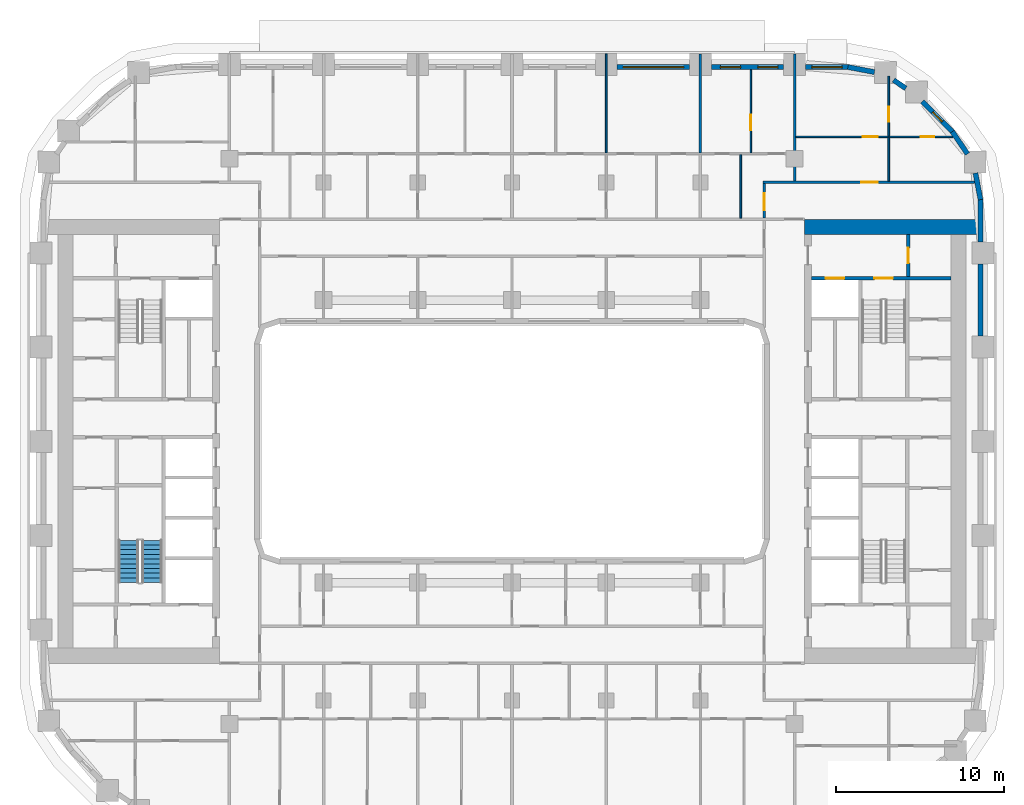
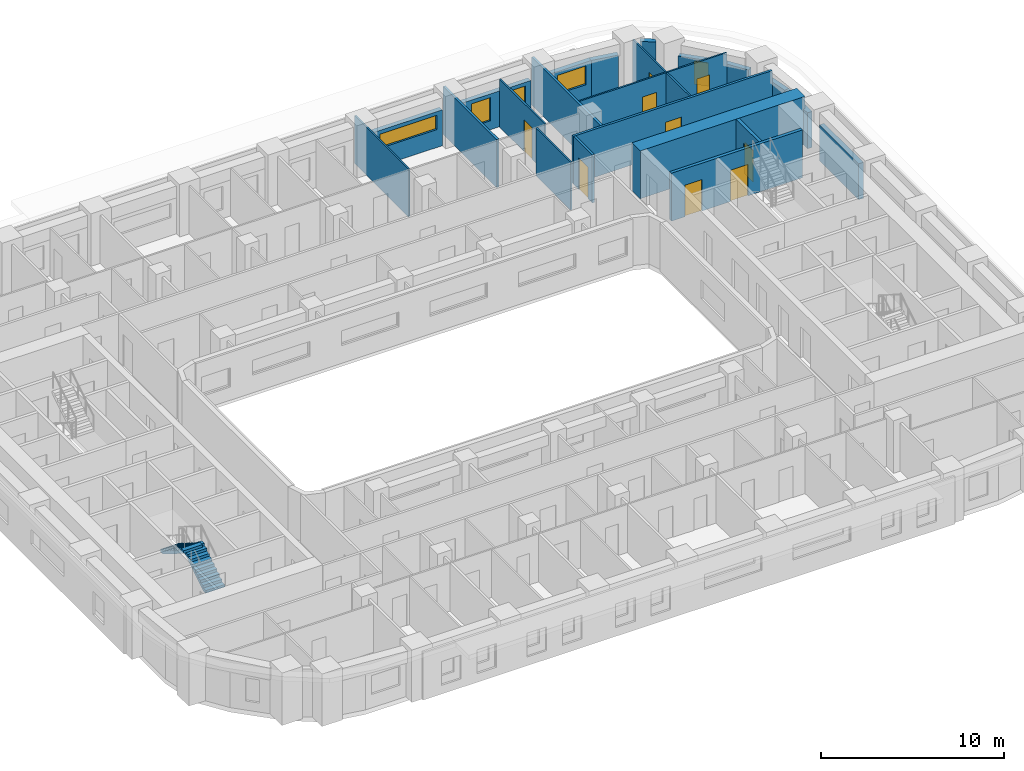
# One storey, part 10 of 22: 23 walls, 9 doors, 5 windows, 2 stair flights, 14 openings, 1 element without a shape of its own.
"""IFC4 building model written with IfcOpenShell, lengths in metres."""

from ifc_helpers import new_model, si_unit, direction, frame, frame_2d, origin, place, context, subcontext, project, spatial, polyline, rectangle, outline, extrude, material, layer, layer_set, type_object, element, fill, aggregate, save


model = new_model("IFC4")

# Units and contexts
model_context = context("Model", 3, precision=1e-05, world=origin(), true_north=direction((0.0, 1.0)))
body_context = subcontext(model_context, "Body", "Model", "MODEL_VIEW")
ifc_project = project(units=[si_unit("LENGTHUNIT", "METRE"), si_unit("AREAUNIT", "SQUARE_METRE"), si_unit("VOLUMEUNIT", "CUBIC_METRE"), si_unit("PLANEANGLEUNIT", "RADIAN"), si_unit("MASSUNIT", "GRAM", prefix="KILO")], contexts=[model_context])

# Site, building, storey
site_placement = place(None, origin())
site = spatial("IfcSite", under=ifc_project, at=site_placement, CompositionType="ELEMENT")
building_placement = place(site_placement, origin())
building = spatial("IfcBuilding", under=site, at=building_placement, Name="Kiln Ring Residences", CompositionType="ELEMENT")
storey_placement = place(building_placement, frame((0.0, 0.0, 90.300048828125)))
storey = spatial("IfcBuildingStorey", under=building, at=storey_placement, Name="L22", CompositionType="ELEMENT", Elevation=90.300048828125)

# Wall, opening, door
ifc_material_1 = material(Name="Gypsum board on steel studs", Category="steel")
ifc_layer_1 = layer(ifc_material_1, 0.199951171875)
ifc_layer_set_1 = layer_set([ifc_layer_1], Name="CORE-PARTITION-200")
wall_type_1 = type_object("IfcWallType", Name="CORE-PARTITION-200", PredefinedType="PARTITIONING", material=ifc_layer_set_1)
wall_1_placement = place(storey_placement, frame((23.550048828125, 9.800048828125, 0.0), z_axis=(0.0, 0.0, 1.0), x_axis=(0.0, 1.0, 0.0)))
wall_1 = element("IfcWall", 1, at=wall_1_placement, inside=storey, type_object=wall_type_1, Name="Core partition east L22 4", PredefinedType="PARTITIONING", context=body_context, shape_type="SweptSolid", body=[
    extrude(rectangle(XDim=2.5, YDim=0.199951171875, at=frame_2d((1.25, 0.0))), origin(), (0.0, 0.0, 1.0), 3.199951171875),
])
opening_1_placement = place(wall_1_placement, frame((0.800048828125, 0.0, 0.0)))
opening_1 = element("IfcOpeningElement", 2, at=opening_1_placement, cuts=wall_1, Name="Opening L22-CE10", PredefinedType="OPENING", context=body_context, shape_type="SweptSolid", body=[
    extrude(rectangle(XDim=0.89990234375, YDim=2.10009765625, at=frame_2d((0.449951171875, 1.050048828125))), frame((0.0, 0.10986328125, 0.0), z_axis=(0.0, -1.0, 0.0), x_axis=(1.0, 0.0, 0.0)), (0.0, 0.0, 1.0), 0.219970703125),
])
ifc_material_2 = material(Name="Steel door leaf", Category="steel")
door_type_1 = type_object("IfcDoorType", Name="CORE-DOOR-ROOM", OperationType="SINGLE_SWING_LEFT", PredefinedType="DOOR", material=ifc_material_2)
door_1_placement = place(opening_1_placement, origin())
door_1 = element("IfcDoor", 3, at=door_1_placement, inside=storey, type_object=door_type_1, Name="Fire riser room L22-CE10", OperationType="SINGLE_SWING_LEFT", OverallHeight=2.10009765625, OverallWidth=0.89990234375, PredefinedType="DOOR", context=body_context, shape_type="SweptSolid", body=[
    extrude(rectangle(XDim=0.89990234375, YDim=2.10009765625, at=frame_2d((0.449951171875, 1.050048828125))), frame((0.0, 0.02490234375, 0.0), z_axis=(0.0, -1.0, 0.0), x_axis=(1.0, 0.0, 0.0)), (0.0, 0.0, 1.0), 0.050048828125),
])
fill(opening_1, door_1)

# Wall, openings, doors
ifc_material_3 = material(Name="Concrete C40/50", Category="concrete")
ifc_layer_2 = layer(ifc_material_3, 0.199951171875)
ifc_layer_set_2 = layer_set([ifc_layer_2], Name="CORE-WALL-RC200")
wall_type_2 = type_object("IfcWallType", Name="CORE-WALL-RC200", PredefinedType="SHEAR", material=ifc_layer_set_2)
wall_2_placement = place(storey_placement, frame((17.800048828125, 9.699951171875, 0.0), z_axis=(0.0, 0.0, 1.0), x_axis=(1.0, 0.0, 0.0)))
wall_2 = element("IfcWall", 4, at=wall_2_placement, inside=storey, type_object=wall_type_2, Name="Core wall east L22 9", PredefinedType="SHEAR", context=body_context, shape_type="SweptSolid", body=[
    extrude(rectangle(XDim=8.300048828125, YDim=0.199951171875, at=frame_2d((4.14990234375, 0.0))), origin(), (0.0, 0.0, 1.0), 3.199951171875),
])
opening_2_placement = place(wall_2_placement, frame((0.85009765625, 0.0, 0.0)))
opening_2 = element("IfcOpeningElement", 5, at=opening_2_placement, cuts=wall_2, Name="Opening L22-CE07", PredefinedType="OPENING", context=body_context, shape_type="SweptSolid", body=[
    extrude(rectangle(XDim=1.10009765625, YDim=2.10009765625, at=frame_2d((0.550048828125, 1.050048828125))), frame((0.0, 0.10986328125, 0.0), z_axis=(0.0, -1.0, 0.0), x_axis=(1.0, 0.0, 0.0)), (0.0, 0.0, 1.0), 0.219970703125),
])
opening_3_placement = place(wall_2_placement, frame((3.75, 0.0, 0.0)))
opening_3 = element("IfcOpeningElement", 6, at=opening_3_placement, cuts=wall_2, Name="Opening L22-CE12", PredefinedType="OPENING", context=body_context, shape_type="SweptSolid", body=[
    extrude(rectangle(XDim=1.10009765625, YDim=2.10009765625, at=frame_2d((0.550048828125, 1.050048828125))), frame((0.0, 0.10986328125, 0.0), z_axis=(0.0, -1.0, 0.0), x_axis=(1.0, 0.0, 0.0)), (0.0, 0.0, 1.0), 0.219970703125),
])
ifc_material_4 = material(Name="Steel door leaf", Category="steel")
door_type_2 = type_object("IfcDoorType", Name="CORE-DOOR-LD", OperationType="DOUBLE_DOOR_SLIDING", PredefinedType="DOOR", material=ifc_material_4)
door_2_placement = place(opening_2_placement, origin())
door_2 = element("IfcDoor", 7, at=door_2_placement, inside=storey, type_object=door_type_2, Name="LD E-FF L22-CE07", OperationType="DOUBLE_DOOR_SLIDING", OverallHeight=2.10009765625, OverallWidth=1.10009765625, PredefinedType="DOOR", context=body_context, shape_type="SweptSolid", body=[
    extrude(rectangle(XDim=1.10009765625, YDim=2.10009765625, at=frame_2d((0.550048828125, 1.050048828125))), frame((0.0, 0.02490234375, 0.0), z_axis=(0.0, -1.0, 0.0), x_axis=(1.0, 0.0, 0.0)), (0.0, 0.0, 1.0), 0.050048828125),
])
fill(opening_2, door_2)
ifc_material_5 = material(Name="Steel door leaf", Category="steel")
door_type_3 = type_object("IfcDoorType", Name="CORE-DOOR-STAIR", OperationType="SINGLE_SWING_LEFT", PredefinedType="DOOR", material=ifc_material_5)
door_3_placement = place(opening_3_placement, origin())
door_3 = element("IfcDoor", 8, at=door_3_placement, inside=storey, type_object=door_type_3, Name="Stair E-STN L22-CE12", OperationType="SINGLE_SWING_LEFT", OverallHeight=2.10009765625, OverallWidth=1.10009765625, PredefinedType="DOOR", context=body_context, shape_type="SweptSolid", body=[
    extrude(rectangle(XDim=1.10009765625, YDim=2.10009765625, at=frame_2d((0.550048828125, 1.050048828125))), frame((0.0, 0.02490234375, 0.0), z_axis=(0.0, -1.0, 0.0), x_axis=(1.0, 0.0, 0.0)), (0.0, 0.0, 1.0), 0.050048828125),
])
fill(opening_3, door_3)

# Walls
ifc_material_6 = material(Name="Concrete C60/75", Category="concrete")
ifc_layer_3 = layer(ifc_material_6, 0.89990234375)
ifc_layer_set_3 = layer_set([ifc_layer_3], Name="CORE-WALL-RC900")
wall_type_3 = type_object("IfcWallType", Name="CORE-WALL-RC900", PredefinedType="SHEAR", material=ifc_layer_set_3)
wall_3_placement = place(storey_placement, frame((17.39990234375, 12.75, 0.0), z_axis=(0.0, 0.0, 1.0), x_axis=(1.0, 0.0, 0.0)))
element("IfcWall", 9, at=wall_3_placement, inside=storey, type_object=wall_type_3, Name="Core wall east L22 4", PredefinedType="SHEAR", context=body_context, shape_type="SweptSolid", body=[
    extrude(rectangle(XDim=10.400146484375, YDim=0.89990234375, at=frame_2d((5.2001953125, 0.0))), origin(), (0.0, 0.0, 1.0), 3.199951171875),
])
ifc_material_7 = material(Name="Brick masonry, dark clay brick", Category="masonry")
ifc_layer_4 = layer(ifc_material_7, 0.300048828125)
ifc_layer_set_4 = layer_set([ifc_layer_4], Name="EW-300 BRICK WALL")
wall_type_4 = type_object("IfcWallType", Name="EW-300 BRICK WALL", PredefinedType="SOLIDWALL", material=ifc_layer_set_4)
wall_4_placement = place(storey_placement, frame((27.85009765625, 6.25, 0.0), z_axis=(0.0, 0.0, 1.0), x_axis=(0.0, 1.0, 0.0)))
element("IfcWall", 10, at=wall_4_placement, inside=storey, type_object=wall_type_4, Name="Facade wall L22 21", PredefinedType="SOLIDWALL", context=body_context, shape_type="SweptSolid", body=[
    extrude(rectangle(XDim=4.300048828125, YDim=0.300048828125, at=frame_2d((2.14990234375, 0.0))), origin(), (0.0, 0.0, 1.0), 2.39990234375),
])
wall_5_placement = place(storey_placement, frame((27.85009765625, 11.85009765625, 0.0), z_axis=(0.0, 0.0, 1.0), x_axis=(0.0, 1.0, 0.0)))
element("IfcWall", 11, at=wall_5_placement, inside=storey, type_object=wall_type_4, Name="Facade wall L22 22", PredefinedType="SOLIDWALL", context=body_context, shape_type="SweptSolid", body=[
    extrude(rectangle(XDim=2.5498046875, YDim=0.300048828125, at=frame_2d((1.27490234375, 0.0))), origin(), (0.0, 0.0, 1.0), 2.39990234375),
])
for number, where, z_axis, x_axis, name in (
    (12, (27.8525390625, 14.371826171875, 0.0), (0.0, 0.0, 1.0), (-0.187279751651, 0.982306619453, 0.0), "Facade wall L22 23"),
    (13, (27.08154296875, 17.08447265625, 0.0), (0.0, 0.0, 1.0), (-0.562010605531, 0.827130025613, 0.0), "Facade wall L22 24"),
):
    element("IfcWall", number, at=place(storey_placement, frame(where, z_axis=z_axis, x_axis=x_axis)), inside=storey, type_object=wall_type_4, Name=name, PredefinedType="SOLIDWALL", context=body_context, shape_type="SweptSolid", body=[
        extrude(rectangle(XDim=1.60595703125, YDim=0.300048828125, at=frame_2d((0.802978515625, 0.0))), origin(), (0.0, 0.0, 1.0), 2.39990234375),
    ])

# Wall, opening, window
wall_6_placement = place(storey_placement, frame((26.19677734375, 18.390869140625, 0.0), z_axis=(0.0, 0.0, 1.0), x_axis=(-0.707058908279, 0.707154650853, 0.0)))
wall_6 = element("IfcWall", 14, at=wall_6_placement, inside=storey, type_object=wall_type_4, Name="Facade wall L22 25", PredefinedType="SOLIDWALL", context=body_context, shape_type="SweptSolid", body=[
    extrude(rectangle(XDim=2.550048828125, YDim=0.300048828125, at=frame_2d((1.27490234375, 0.0))), origin(), (0.0, 0.0, 1.0), 2.39990234375),
])
opening_4_placement = place(wall_6_placement, frame((0.875, 0.0, 0.60009765625)))
opening_4 = element("IfcOpeningElement", 15, at=opening_4_placement, cuts=wall_6, Name="Opening W5", PredefinedType="OPENING", context=body_context, shape_type="SweptSolid", body=[
    extrude(rectangle(XDim=0.800048828125, YDim=1.550048828125, at=frame_2d((0.39990234375, 0.77490234375))), frame((0.0, 0.159912109375, 0.0), z_axis=(0.0, -1.0, 0.0), x_axis=(1.0, 0.0, 0.0)), (0.0, 0.0, 1.0), 0.320068359375),
])
ifc_material_8 = material(Name="Aluminium frame with double glazing", Category="aluminium")
window_type_1 = type_object("IfcWindowType", Name="WINDOW 800 x 1550", PartitioningType="SINGLE_PANEL", PredefinedType="WINDOW", material=ifc_material_8)
window_1_placement = place(opening_4_placement, origin())
window_1 = element("IfcWindow", 16, at=window_1_placement, inside=storey, type_object=window_type_1, Name="Window L22 15", OverallHeight=1.550048828125, OverallWidth=0.800048828125, PartitioningType="SINGLE_PANEL", PredefinedType="WINDOW", context=body_context, shape_type="SweptSolid", body=[
    extrude(rectangle(XDim=0.800048828125, YDim=1.550048828125, at=frame_2d((0.39990234375, 0.77490234375))), frame((0.0, 0.030029296875, 0.0), z_axis=(0.0, -1.0, 0.0), x_axis=(1.0, 0.0, 0.0)), (0.0, 0.0, 1.0), 0.06005859375),
])
fill(opening_4, window_1)

# Walls
wall_7_placement = place(storey_placement, frame((23.409912109375, 20.988525390625, 0.0), z_axis=(0.0, 0.0, 1.0), x_axis=(-0.827050703543, 0.562127328787, 0.0)))
element("IfcWall", 17, at=wall_7_placement, inside=storey, type_object=wall_type_4, Name="Facade wall L22 26", PredefinedType="SOLIDWALL", context=body_context, shape_type="SweptSolid", body=[
    extrude(rectangle(XDim=0.877197265625, YDim=0.300048828125, at=frame_2d((0.4384765625, 0.0))), origin(), (0.0, 0.0, 1.0), 3.199951171875),
])
wall_8_placement = place(storey_placement, frame((21.549560546875, 21.95166015625, 0.0), z_axis=(0.0, 0.0, 1.0), x_axis=(-0.982278644094, 0.187426426519, 0.0)))
element("IfcWall", 18, at=wall_8_placement, inside=storey, type_object=wall_type_4, Name="Facade wall L22 27", PredefinedType="SOLIDWALL", context=body_context, shape_type="SweptSolid", body=[
    extrude(rectangle(XDim=1.606201171875, YDim=0.300048828125, at=frame_2d((0.80322265625, 0.0))), origin(), (0.0, 0.0, 1.0), 2.39990234375),
])

# Wall, opening, window
wall_9_placement = place(storey_placement, frame((20.0, 22.25, 0.0), z_axis=(0.0, 0.0, 1.0), x_axis=(-1.0, 0.0, 0.0)))
wall_9 = element("IfcWall", 19, at=wall_9_placement, inside=storey, type_object=wall_type_4, Name="Facade wall L22 28", PredefinedType="SOLIDWALL", context=body_context, shape_type="SweptSolid", body=[
    extrude(rectangle(XDim=2.550048828125, YDim=0.300048828125, at=frame_2d((1.27490234375, 0.0))), origin(), (0.0, 0.0, 1.0), 2.39990234375),
])
opening_5_placement = place(wall_9_placement, frame((0.375, 0.0, 0.89990234375)))
opening_5 = element("IfcOpeningElement", 20, at=opening_5_placement, cuts=wall_9, Name="Opening W2", PredefinedType="OPENING", context=body_context, shape_type="SweptSolid", body=[
    extrude(rectangle(XDim=1.800048828125, YDim=1.25, at=frame_2d((0.89990234375, 0.625))), frame((0.0, 0.159912109375, 0.0), z_axis=(0.0, -1.0, 0.0), x_axis=(1.0, 0.0, 0.0)), (0.0, 0.0, 1.0), 0.320068359375),
])
ifc_material_9 = material(Name="Aluminium frame with double glazing", Category="aluminium")
window_type_2 = type_object("IfcWindowType", Name="WINDOW 1800 x 1250", PartitioningType="SINGLE_PANEL", PredefinedType="WINDOW", material=ifc_material_9)
window_2_placement = place(opening_5_placement, origin())
window_2 = element("IfcWindow", 21, at=window_2_placement, inside=storey, type_object=window_type_2, Name="Window L22 16", OverallHeight=1.25, OverallWidth=1.800048828125, PartitioningType="SINGLE_PANEL", PredefinedType="WINDOW", context=body_context, shape_type="SweptSolid", body=[
    extrude(rectangle(XDim=1.800048828125, YDim=1.25, at=frame_2d((0.89990234375, 0.625))), frame((0.0, 0.030029296875, 0.0), z_axis=(0.0, -1.0, 0.0), x_axis=(1.0, 0.0, 0.0)), (0.0, 0.0, 1.0), 0.06005859375),
])
fill(opening_5, window_2)

# Wall, openings, windows
wall_10_placement = place(storey_placement, frame((16.14990234375, 22.25, 0.0), z_axis=(0.0, 0.0, 1.0), x_axis=(-1.0, 0.0, 0.0)))
wall_10 = element("IfcWall", 22, at=wall_10_placement, inside=storey, type_object=wall_type_4, Name="Facade wall L22 29", PredefinedType="SOLIDWALL", context=body_context, shape_type="SweptSolid", body=[
    extrude(rectangle(XDim=4.2998046875, YDim=0.300048828125, at=frame_2d((2.14990234375, 0.0))), origin(), (0.0, 0.0, 1.0), 2.39990234375),
])
opening_6_placement = place(wall_10_placement, frame((0.33740234375, 0.0, 0.60009765625)))
opening_6 = element("IfcOpeningElement", 23, at=opening_6_placement, cuts=wall_10, Name="Opening W1", PredefinedType="OPENING", context=body_context, shape_type="SweptSolid", body=[
    extrude(rectangle(XDim=1.199951171875, YDim=1.550048828125, at=frame_2d((0.60009765625, 0.77490234375))), frame((0.0, 0.159912109375, 0.0), z_axis=(0.0, -1.0, 0.0), x_axis=(1.0, 0.0, 0.0)), (0.0, 0.0, 1.0), 0.320068359375),
])
opening_7_placement = place(wall_10_placement, frame((2.5625, 0.0, 0.60009765625)))
opening_7 = element("IfcOpeningElement", 24, at=opening_7_placement, cuts=wall_10, Name="Opening W1", PredefinedType="OPENING", context=body_context, shape_type="SweptSolid", body=[
    extrude(rectangle(XDim=1.199951171875, YDim=1.550048828125, at=frame_2d((0.60009765625, 0.77490234375))), frame((0.0, 0.159912109375, 0.0), z_axis=(0.0, -1.0, 0.0), x_axis=(1.0, 0.0, 0.0)), (0.0, 0.0, 1.0), 0.320068359375),
])
ifc_material_10 = material(Name="Aluminium frame with double glazing", Category="aluminium")
window_type_3 = type_object("IfcWindowType", Name="WINDOW 1200 x 1550", PartitioningType="SINGLE_PANEL", PredefinedType="WINDOW", material=ifc_material_10)
window_3_placement = place(opening_6_placement, origin())
window_3 = element("IfcWindow", 25, at=window_3_placement, inside=storey, type_object=window_type_3, Name="Window L22 17", OverallHeight=1.550048828125, OverallWidth=1.199951171875, PartitioningType="SINGLE_PANEL", PredefinedType="WINDOW", context=body_context, shape_type="SweptSolid", body=[
    extrude(rectangle(XDim=1.199951171875, YDim=1.550048828125, at=frame_2d((0.60009765625, 0.77490234375))), frame((0.0, 0.030029296875, 0.0), z_axis=(0.0, -1.0, 0.0), x_axis=(1.0, 0.0, 0.0)), (0.0, 0.0, 1.0), 0.06005859375),
])
fill(opening_6, window_3)
window_4_placement = place(opening_7_placement, origin())
window_4 = element("IfcWindow", 26, at=window_4_placement, inside=storey, type_object=window_type_3, Name="Window L22 18", OverallHeight=1.550048828125, OverallWidth=1.199951171875, PartitioningType="SINGLE_PANEL", PredefinedType="WINDOW", context=body_context, shape_type="SweptSolid", body=[
    extrude(rectangle(XDim=1.199951171875, YDim=1.550048828125, at=frame_2d((0.60009765625, 0.77490234375))), frame((0.0, 0.030029296875, 0.0), z_axis=(0.0, -1.0, 0.0), x_axis=(1.0, 0.0, 0.0)), (0.0, 0.0, 1.0), 0.06005859375),
])
fill(opening_7, window_4)

# Wall, opening, window
wall_11_placement = place(storey_placement, frame((10.550048828125, 22.25, 0.0), z_axis=(0.0, 0.0, 1.0), x_axis=(-1.0, 0.0, 0.0)))
wall_11 = element("IfcWall", 27, at=wall_11_placement, inside=storey, type_object=wall_type_4, Name="Facade wall L22 30", PredefinedType="SOLIDWALL", context=body_context, shape_type="SweptSolid", body=[
    extrude(rectangle(XDim=4.300048828125, YDim=0.300048828125, at=frame_2d((2.14990234375, 0.0))), origin(), (0.0, 0.0, 1.0), 2.39990234375),
])
opening_8_placement = place(wall_11_placement, frame((0.35009765625, 0.0, 1.199951171875)))
opening_8 = element("IfcOpeningElement", 28, at=opening_8_placement, cuts=wall_11, Name="Opening W4", PredefinedType="OPENING", context=body_context, shape_type="SweptSolid", body=[
    extrude(rectangle(XDim=3.60009765625, YDim=0.949951171875, at=frame_2d((1.800048828125, 0.47509765625))), frame((0.0, 0.159912109375, 0.0), z_axis=(0.0, -1.0, 0.0), x_axis=(1.0, 0.0, 0.0)), (0.0, 0.0, 1.0), 0.320068359375),
])
ifc_material_11 = material(Name="Aluminium frame with double glazing", Category="aluminium")
window_type_4 = type_object("IfcWindowType", Name="WINDOW 3600 x 950", PartitioningType="SINGLE_PANEL", PredefinedType="WINDOW", material=ifc_material_11)
window_5_placement = place(opening_8_placement, origin())
window_5 = element("IfcWindow", 29, at=window_5_placement, inside=storey, type_object=window_type_4, Name="Window L22 19", OverallHeight=0.949951171875, OverallWidth=3.60009765625, PartitioningType="SINGLE_PANEL", PredefinedType="WINDOW", context=body_context, shape_type="SweptSolid", body=[
    extrude(rectangle(XDim=3.60009765625, YDim=0.949951171875, at=frame_2d((1.800048828125, 0.47509765625))), frame((0.0, 0.030029296875, 0.0), z_axis=(0.0, -1.0, 0.0), x_axis=(1.0, 0.0, 0.0)), (0.0, 0.0, 1.0), 0.06005859375),
])
fill(opening_8, window_5)

# Wall, openings, doors
ifc_material_12 = material(Name="Gypsum board on steel studs", Category="steel")
ifc_layer_5 = layer(ifc_material_12, 0.10009765625)
ifc_layer_set_5 = layer_set([ifc_layer_5], Name="PARTITION-100")
wall_type_5 = type_object("IfcWallType", Name="PARTITION-100", PredefinedType="PARTITIONING", material=ifc_layer_set_5)
wall_12_placement = place(storey_placement, frame((16.875, 18.10009765625, 0.0), z_axis=(0.0, 0.0, 1.0), x_axis=(1.0, 0.0, 0.0)))
wall_12 = element("IfcWall", 30, at=wall_12_placement, inside=storey, type_object=wall_type_5, Name="Partition 013", PredefinedType="PARTITIONING", context=body_context, shape_type="SweptSolid", body=[
    extrude(rectangle(XDim=9.315185546875, YDim=0.10009765625, at=frame_2d((4.65771484375, 0.0))), origin(), (0.0, 0.0, 1.0), 3.199951171875),
])
opening_9_placement = place(wall_12_placement, frame((7.425048828125, 0.0, 0.0)))
opening_9 = element("IfcOpeningElement", 31, at=opening_9_placement, cuts=wall_12, Name="Opening L22-D036", PredefinedType="OPENING", context=body_context, shape_type="SweptSolid", body=[
    extrude(rectangle(XDim=0.800048828125, YDim=2.10009765625, at=frame_2d((0.39990234375, 1.050048828125))), frame((0.0, 0.06005859375, 0.0), z_axis=(0.0, -1.0, 0.0), x_axis=(1.0, 0.0, 0.0)), (0.0, 0.0, 1.0), 0.1201171875),
])
opening_10_placement = place(wall_12_placement, frame((3.97509765625, 0.0, 0.0)))
opening_10 = element("IfcOpeningElement", 32, at=opening_10_placement, cuts=wall_12, Name="Opening L22-D037", PredefinedType="OPENING", context=body_context, shape_type="SweptSolid", body=[
    extrude(rectangle(XDim=0.89990234375, YDim=2.10009765625, at=frame_2d((0.449951171875, 1.050048828125))), frame((0.0, 0.06005859375, 0.0), z_axis=(0.0, -1.0, 0.0), x_axis=(1.0, 0.0, 0.0)), (0.0, 0.0, 1.0), 0.1201171875),
])
ifc_material_13 = material(Name="Timber door leaf", Category="wood")
door_type_4 = type_object("IfcDoorType", Name="FLAT-DOOR-800-PL", OperationType="SINGLE_SWING_LEFT", PredefinedType="DOOR", material=ifc_material_13)
door_4_placement = place(opening_9_placement, origin())
door_4 = element("IfcDoor", 33, at=door_4_placement, inside=storey, type_object=door_type_4, Name="Door L22-D036", OperationType="SINGLE_SWING_RIGHT", OverallHeight=2.10009765625, OverallWidth=0.800048828125, PredefinedType="DOOR", context=body_context, shape_type="SweptSolid", body=[
    extrude(rectangle(XDim=0.800048828125, YDim=2.10009765625, at=frame_2d((0.39990234375, 1.050048828125))), frame((0.0, 0.02490234375, 0.0), z_axis=(0.0, -1.0, 0.0), x_axis=(1.0, 0.0, 0.0)), (0.0, 0.0, 1.0), 0.050048828125),
])
fill(opening_9, door_4)
ifc_material_14 = material(Name="Timber door leaf", Category="wood")
door_type_5 = type_object("IfcDoorType", Name="FLAT-DOOR-900-PL", OperationType="SINGLE_SWING_LEFT", PredefinedType="DOOR", material=ifc_material_14)
door_5_placement = place(opening_10_placement, origin())
door_5 = element("IfcDoor", 34, at=door_5_placement, inside=storey, type_object=door_type_5, Name="Door L22-D037", OperationType="SINGLE_SWING_LEFT", OverallHeight=2.10009765625, OverallWidth=0.89990234375, PredefinedType="DOOR", context=body_context, shape_type="SweptSolid", body=[
    extrude(rectangle(XDim=0.89990234375, YDim=2.10009765625, at=frame_2d((0.449951171875, 1.050048828125))), frame((0.0, 0.02490234375, 0.0), z_axis=(0.0, -1.0, 0.0), x_axis=(1.0, 0.0, 0.0)), (0.0, 0.0, 1.0), 0.050048828125),
])
fill(opening_10, door_5)

# Walls
wall_13_placement = place(storey_placement, frame((5.60009765625, 17.14990234375, 0.0), z_axis=(0.0, 0.0, 1.0), x_axis=(0.0, 1.0, 0.0)))
element("IfcWall", 35, at=wall_13_placement, inside=storey, type_object=wall_type_5, Name="Partition 058", PredefinedType="PARTITIONING", context=body_context, shape_type="SweptSolid", body=[
    extrude(rectangle(XDim=5.880126953125, YDim=0.10009765625, at=frame_2d((2.93994140625, 0.0))), origin(), (0.0, 0.0, 1.0), 3.199951171875),
])
wall_14_placement = place(storey_placement, frame((13.60009765625, 13.27490234375, 0.0), z_axis=(0.0, 0.0, 1.0), x_axis=(0.0, 1.0, 0.0)))
element("IfcWall", 36, at=wall_14_placement, inside=storey, type_object=wall_type_5, Name="Partition 071", PredefinedType="PARTITIONING", context=body_context, shape_type="SweptSolid", body=[
    extrude(rectangle(XDim=3.775146484375, YDim=0.10009765625, at=frame_2d((1.8876953125, 0.0))), origin(), (0.0, 0.0, 1.0), 3.199951171875),
])

# Wall, opening, door
wall_15_placement = place(storey_placement, frame((14.199951171875, 17.14990234375, 0.0), z_axis=(0.0, 0.0, 1.0), x_axis=(0.0, 1.0, 0.0)))
wall_15 = element("IfcWall", 37, at=wall_15_placement, inside=storey, type_object=wall_type_5, Name="Partition 073", PredefinedType="PARTITIONING", context=body_context, shape_type="SweptSolid", body=[
    extrude(rectangle(XDim=4.93017578125, YDim=0.10009765625, at=frame_2d((2.465087890625, 0.0))), origin(), (0.0, 0.0, 1.0), 3.199951171875),
])
opening_11_placement = place(wall_15_placement, frame((1.360107421875, 0.0, 0.0)))
opening_11 = element("IfcOpeningElement", 38, at=opening_11_placement, cuts=wall_15, Name="Opening L22-D034", PredefinedType="OPENING", context=body_context, shape_type="SweptSolid", body=[
    extrude(rectangle(XDim=0.89990234375, YDim=2.10009765625, at=frame_2d((0.449951171875, 1.050048828125))), frame((0.0, 0.06005859375, 0.0), z_axis=(0.0, -1.0, 0.0), x_axis=(1.0, 0.0, 0.0)), (0.0, 0.0, 1.0), 0.1201171875),
])
door_6_placement = place(opening_11_placement, origin())
door_6 = element("IfcDoor", 39, at=door_6_placement, inside=storey, type_object=door_type_5, Name="Door L22-D034", OperationType="SINGLE_SWING_RIGHT", OverallHeight=2.10009765625, OverallWidth=0.89990234375, PredefinedType="DOOR", context=body_context, shape_type="SweptSolid", body=[
    extrude(rectangle(XDim=0.89990234375, YDim=2.10009765625, at=frame_2d((0.449951171875, 1.050048828125))), frame((0.0, 0.02490234375, 0.0), z_axis=(0.0, -1.0, 0.0), x_axis=(1.0, 0.0, 0.0)), (0.0, 0.0, 1.0), 0.050048828125),
])
fill(opening_11, door_6)

# Wall
wall_16_placement = place(storey_placement, frame((22.39990234375, 15.47509765625, 0.0), z_axis=(0.0, 0.0, 1.0), x_axis=(0.0, 1.0, 0.0)))
element("IfcWall", 40, at=wall_16_placement, inside=storey, type_object=wall_type_5, Name="Partition 082", PredefinedType="PARTITIONING", context=body_context, shape_type="SweptSolid", body=[
    extrude(rectangle(XDim=2.574951171875, YDim=0.10009765625, at=frame_2d((1.28759765625, 0.0))), origin(), (0.0, 0.0, 1.0), 3.199951171875),
])

# Wall, opening, door
wall_17_placement = place(storey_placement, frame((22.39990234375, 18.14990234375, 0.0), z_axis=(0.0, 0.0, 1.0), x_axis=(0.0, 1.0, 0.0)))
wall_17 = element("IfcWall", 41, at=wall_17_placement, inside=storey, type_object=wall_type_5, Name="Partition 083", PredefinedType="PARTITIONING", context=body_context, shape_type="SweptSolid", body=[
    extrude(rectangle(XDim=3.570068359375, YDim=0.10009765625, at=frame_2d((1.78515625, 0.0))), origin(), (0.0, 0.0, 1.0), 3.199951171875),
])
opening_12_placement = place(wall_17_placement, frame((0.85009765625, 0.0, 0.0)))
opening_12 = element("IfcOpeningElement", 42, at=opening_12_placement, cuts=wall_17, Name="Opening L22-D038", PredefinedType="OPENING", context=body_context, shape_type="SweptSolid", body=[
    extrude(rectangle(XDim=0.89990234375, YDim=2.10009765625, at=frame_2d((0.449951171875, 1.050048828125))), frame((0.0, 0.06005859375, 0.0), z_axis=(0.0, -1.0, 0.0), x_axis=(1.0, 0.0, 0.0)), (0.0, 0.0, 1.0), 0.1201171875),
])
door_7_placement = place(opening_12_placement, origin())
door_7 = element("IfcDoor", 43, at=door_7_placement, inside=storey, type_object=door_type_5, Name="Door L22-D038", OperationType="SINGLE_SWING_LEFT", OverallHeight=2.10009765625, OverallWidth=0.89990234375, PredefinedType="DOOR", context=body_context, shape_type="SweptSolid", body=[
    extrude(rectangle(XDim=0.89990234375, YDim=2.10009765625, at=frame_2d((0.449951171875, 1.050048828125))), frame((0.0, 0.02490234375, 0.0), z_axis=(0.0, -1.0, 0.0), x_axis=(1.0, 0.0, 0.0)), (0.0, 0.0, 1.0), 0.050048828125),
])
fill(opening_12, door_7)

ifc_material_15 = material(Name="Brick masonry partition", Category="masonry")
ifc_layer_6 = layer(ifc_material_15, 0.14990234375)
ifc_layer_set_6 = layer_set([ifc_layer_6], Name="PARTITION-150-ei60")
wall_type_6 = type_object("IfcWallType", Name="PARTITION-150-ei60", PredefinedType="PARTITIONING", material=ifc_layer_set_6)
wall_18_placement = place(storey_placement, frame((14.925048828125, 15.39990234375, 0.0), z_axis=(0.0, 0.0, 1.0), x_axis=(1.0, 0.0, 0.0)))
wall_18 = element("IfcWall", 44, at=wall_18_placement, inside=storey, type_object=wall_type_6, Name="Partition 010", PredefinedType="PARTITIONING", context=body_context, shape_type="SweptSolid", body=[
    extrude(rectangle(XDim=12.558837890625, YDim=0.14990234375, at=frame_2d((6.279296875, 0.0))), origin(), (0.0, 0.0, 1.0), 3.199951171875),
])
opening_13_placement = place(wall_18_placement, frame((5.824951171875, 0.0, 0.0)))
opening_13 = element("IfcOpeningElement", 45, at=opening_13_placement, cuts=wall_18, Name="Opening L22-D035", PredefinedType="OPENING", context=body_context, shape_type="SweptSolid", body=[
    extrude(rectangle(XDim=1.0, YDim=2.10009765625, at=frame_2d((0.5, 1.050048828125))), frame((0.0, 0.0849609375, 0.0), z_axis=(0.0, -1.0, 0.0), x_axis=(1.0, 0.0, 0.0)), (0.0, 0.0, 1.0), 0.169921875),
])
ifc_material_16 = material(Name="Steel faced fire door leaf", Category="steel")
door_type_6 = type_object("IfcDoorType", Name="FLAT-DOOR-1000-FR", OperationType="SINGLE_SWING_LEFT", PredefinedType="DOOR", material=ifc_material_16)
door_8_placement = place(opening_13_placement, origin())
door_8 = element("IfcDoor", 46, at=door_8_placement, inside=storey, type_object=door_type_6, Name="Door L22-D035", OperationType="SINGLE_SWING_LEFT", OverallHeight=2.10009765625, OverallWidth=1.0, PredefinedType="DOOR", context=body_context, shape_type="SweptSolid", body=[
    extrude(rectangle(XDim=1.0, YDim=2.10009765625, at=frame_2d((0.5, 1.050048828125))), frame((0.0, 0.02490234375, 0.0), z_axis=(0.0, -1.0, 0.0), x_axis=(1.0, 0.0, 0.0)), (0.0, 0.0, 1.0), 0.050048828125),
])
fill(opening_13, door_8)

# Wall
wall_19_placement = place(storey_placement, frame((11.199951171875, 17.14990234375, 0.0), z_axis=(0.0, 0.0, 1.0), x_axis=(0.0, 1.0, 0.0)))
element("IfcWall", 47, at=wall_19_placement, inside=storey, type_object=wall_type_6, Name="Partition 069", PredefinedType="PARTITIONING", context=body_context, shape_type="SweptSolid", body=[
    extrude(rectangle(XDim=5.880126953125, YDim=0.14990234375, at=frame_2d((2.93994140625, 0.0))), origin(), (0.0, 0.0, 1.0), 3.199951171875),
])

# Wall, opening, door
wall_20_placement = place(storey_placement, frame((15.0, 13.27490234375, 0.0), z_axis=(0.0, 0.0, 1.0), x_axis=(0.0, 1.0, 0.0)))
wall_20 = element("IfcWall", 48, at=wall_20_placement, inside=storey, type_object=wall_type_6, Name="Partition 077", PredefinedType="PARTITIONING", context=body_context, shape_type="SweptSolid", body=[
    extrude(rectangle(XDim=2.050048828125, YDim=0.14990234375, at=frame_2d((1.02490234375, 0.0))), origin(), (0.0, 0.0, 1.0), 3.199951171875),
])
opening_14_placement = place(wall_20_placement, frame((0.47607421875, 0.0, 0.0)))
opening_14 = element("IfcOpeningElement", 49, at=opening_14_placement, cuts=wall_20, Name="Opening L22-D031", PredefinedType="OPENING", context=body_context, shape_type="SweptSolid", body=[
    extrude(rectangle(XDim=1.0, YDim=2.10009765625, at=frame_2d((0.5, 1.050048828125))), frame((0.0, 0.0849609375, 0.0), z_axis=(0.0, -1.0, 0.0), x_axis=(1.0, 0.0, 0.0)), (0.0, 0.0, 1.0), 0.169921875),
])
door_9_placement = place(opening_14_placement, origin())
door_9 = element("IfcDoor", 50, at=door_9_placement, inside=storey, type_object=door_type_6, Name="Door L22-D031", OperationType="SINGLE_SWING_LEFT", OverallHeight=2.10009765625, OverallWidth=1.0, PredefinedType="DOOR", context=body_context, shape_type="SweptSolid", body=[
    extrude(rectangle(XDim=1.0, YDim=2.10009765625, at=frame_2d((0.5, 1.050048828125))), frame((0.0, 0.02490234375, 0.0), z_axis=(0.0, -1.0, 0.0), x_axis=(1.0, 0.0, 0.0)), (0.0, 0.0, 1.0), 0.050048828125),
])
fill(opening_14, door_9)

# Wall
wall_21_placement = place(storey_placement, frame((16.800048828125, 15.47509765625, 0.0), z_axis=(0.0, 0.0, 1.0), x_axis=(0.0, 1.0, 0.0)))
element("IfcWall", 51, at=wall_21_placement, inside=storey, type_object=wall_type_6, Name="Partition 079", PredefinedType="PARTITIONING", context=body_context, shape_type="SweptSolid", body=[
    extrude(rectangle(XDim=7.554931640625, YDim=0.14990234375, at=frame_2d((3.77734375, 0.0))), origin(), (0.0, 0.0, 1.0), 3.199951171875),
])

# Stair, stair flights
ifc_material_17 = material(Name="Concrete C40/50", Category="concrete")
stair_type = type_object("IfcStairType", Name="CORE-STAIR", PredefinedType="HALF_TURN_STAIR", material=ifc_material_17)
stair_placement = place(storey_placement, origin())
stair = element("IfcStair", 52, at=stair_placement, inside=storey, type_object=stair_type, Name="L22 stair W-STS", PredefinedType="HALF_TURN_STAIR")
ifc_material_18 = material(Name="Concrete C40/50", Category="concrete")
stair_flight_type = type_object("IfcStairFlightType", Name="CORE-STAIR-FLIGHT", PredefinedType="STRAIGHT", material=ifc_material_18)
stair_flight_1_placement = place(storey_placement, frame((-21.39990234375, -8.39990234375, 0.0), z_axis=(0.0, 0.0, 1.0), x_axis=(0.0, 1.0, 0.0)))
stair_flight_1 = element("IfcStairFlight", 53, at=stair_flight_1_placement, type_object=stair_flight_type, Name="W-STS flight 1", NumberOfRisers=10, NumberOfTreads=9, PredefinedType="STRAIGHT", RiserHeight=0.175, TreadLength=0.28, context=body_context, shape_type="SweptSolid", body=[
    extrude(outline(polyline([(0.0, 0.0), (0.0, 0.175048828125), (0.280029296875, 0.175048828125), (0.280029296875, 0.35009765625), (0.56005859375, 0.35009765625), (0.56005859375, 0.52490234375), (0.840087890625, 0.52490234375), (0.840087890625, 0.699951171875), (1.1201171875, 0.699951171875), (1.1201171875, 0.875), (1.39990234375, 0.875), (1.39990234375, 1.050048828125), (1.679931640625, 1.050048828125), (1.679931640625, 1.22509765625), (1.9599609375, 1.22509765625), (1.9599609375, 1.39990234375), (2.239990234375, 1.39990234375), (2.239990234375, 1.574951171875), (2.52001953125, 1.574951171875), (2.52001953125, 1.75), (2.52001953125, 1.398193359375), (0.28271484375, 0.0), (0.0, 0.0)])), frame((0.0, 0.60009765625, 0.0), z_axis=(0.0, -1.0, 0.0), x_axis=(1.0, 0.0, 0.0)), (0.0, 0.0, 1.0), 1.199951171875),
])
stair_flight_2_placement = place(storey_placement, frame((-22.800048828125, -5.8798828125, 1.75), z_axis=(0.0, 0.0, 1.0), x_axis=(0.0, -1.0, 0.0)))
stair_flight_2 = element("IfcStairFlight", 54, at=stair_flight_2_placement, type_object=stair_flight_type, Name="W-STS flight 2", NumberOfRisers=10, NumberOfTreads=9, PredefinedType="STRAIGHT", RiserHeight=0.175, TreadLength=0.28, context=body_context, shape_type="SweptSolid", body=[
    extrude(outline(polyline([(0.0, 0.0), (0.0, 0.175048828125), (0.280029296875, 0.175048828125), (0.280029296875, 0.35009765625), (0.56005859375, 0.35009765625), (0.56005859375, 0.52490234375), (0.840087890625, 0.52490234375), (0.840087890625, 0.699951171875), (1.1201171875, 0.699951171875), (1.1201171875, 0.875), (1.39990234375, 0.875), (1.39990234375, 1.050048828125), (1.679931640625, 1.050048828125), (1.679931640625, 1.22509765625), (1.9599609375, 1.22509765625), (1.9599609375, 1.39990234375), (2.239990234375, 1.39990234375), (2.239990234375, 1.574951171875), (2.52001953125, 1.574951171875), (2.52001953125, 1.75), (2.52001953125, 1.398193359375), (0.28271484375, 0.0), (0.0, 0.0)])), frame((0.0, 0.60009765625, 0.0), z_axis=(0.0, -1.0, 0.0), x_axis=(1.0, 0.0, 0.0)), (0.0, 0.0, 1.0), 1.199951171875),
])
aggregate(stair, [stair_flight_1, stair_flight_2])

save(model, "model.ifc")
